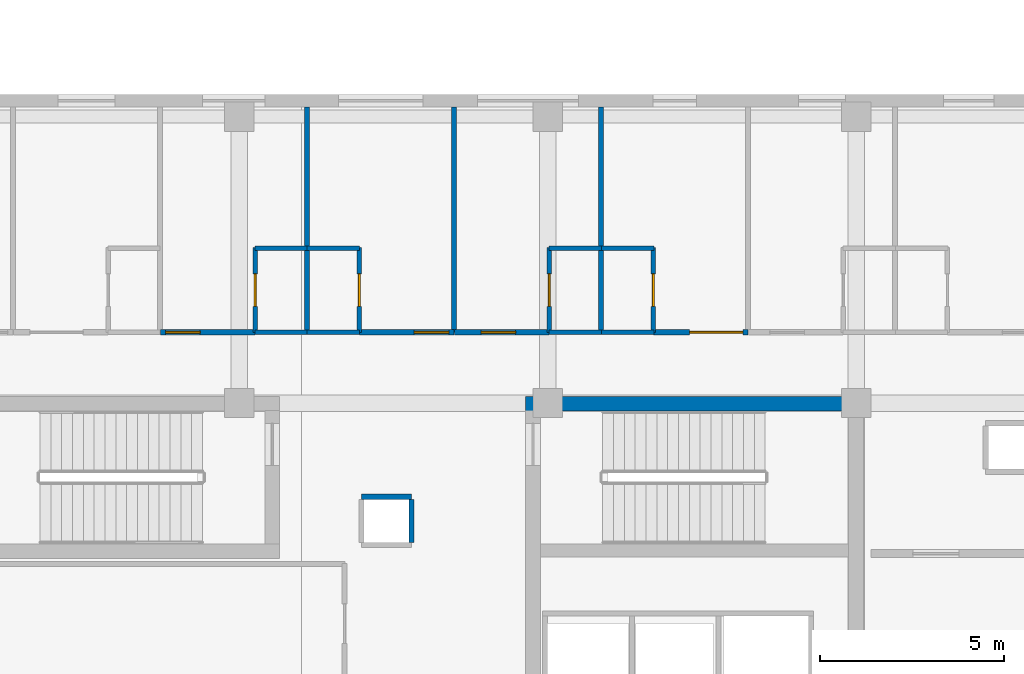
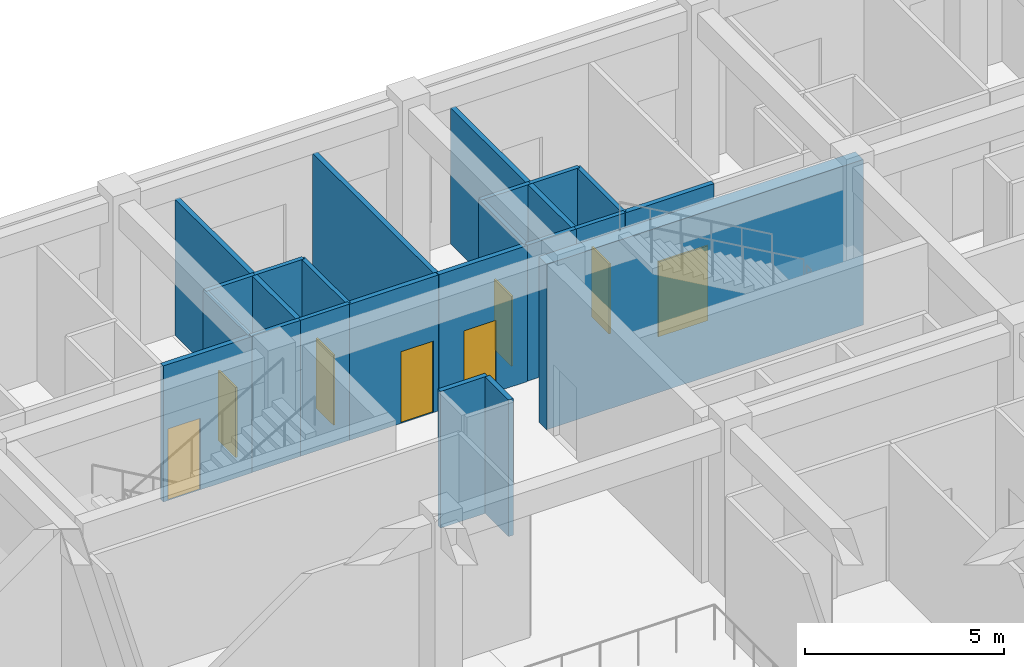
# One storey, part 106 of 139: 22 walls, 8 doors, 8 openings.
"""IFC4 building model written with IfcOpenShell, lengths in metres."""

from ifc_helpers import new_model, si_unit, direction, frame, frame_2d, origin, place, context, subcontext, project, spatial, rectangle, extrude, material, layer, layer_set, type_object, element, fill, save


model = new_model("IFC4")

# Units and contexts
model_context = context("Model", 3, precision=1e-05, world=origin(), true_north=direction((0.0, 1.0)))
body_context = subcontext(model_context, "Body", "Model", "MODEL_VIEW")
ifc_project = project(units=[si_unit("LENGTHUNIT", "METRE"), si_unit("AREAUNIT", "SQUARE_METRE"), si_unit("VOLUMEUNIT", "CUBIC_METRE"), si_unit("PLANEANGLEUNIT", "RADIAN"), si_unit("MASSUNIT", "GRAM", prefix="KILO")], contexts=[model_context])

# Site, building, storey
site_placement = place(None, origin())
site = spatial("IfcSite", under=ifc_project, at=site_placement, CompositionType="ELEMENT")
building_placement = place(site_placement, origin())
building = spatial("IfcBuilding", under=site, at=building_placement, Name="Zayran Congress Hotel", CompositionType="ELEMENT")
storey_placement = place(building_placement, frame((0.0, 0.0, 5.39990234375)))
storey = spatial("IfcBuildingStorey", under=building, at=storey_placement, Name="L01", CompositionType="ELEMENT", Elevation=5.39990234375)

# Wall
ifc_material_1 = material(Name="Concrete C40/50", Category="concrete")
ifc_layer_1 = layer(ifc_material_1, 0.39990234375)
ifc_layer_set_1 = layer_set([ifc_layer_1], Name="Concrete C40/50")
wall_type_1 = type_object("IfcWallType", Name="WL-SH-400", PredefinedType="SHEAR", material=ifc_layer_set_1)
wall_1_placement = place(storey_placement, frame((59.0, 25.5849609375, 0.0), z_axis=(0.0, 0.0, 1.0), x_axis=(-1.0, 0.0, 0.0)))
element("IfcWall", 1, at=wall_1_placement, inside=storey, type_object=wall_type_1, Name="CWALL-C-V5E-L01-N", PredefinedType="SHEAR", context=body_context, shape_type="SweptSolid", body=[
    extrude(rectangle(XDim=9.199951171875, YDim=0.39990234375, at=frame_2d((4.60009765625, 0.0))), origin(), (0.0, 0.0, 1.0), 5.080078125),
])

# Wall, opening, door
ifc_material_2 = material(Name="Hospitality guestroom acoustic partition", Category="gypsum")
ifc_layer_2 = layer(ifc_material_2, 0.139892578125)
ifc_layer_set_2 = layer_set([ifc_layer_2], Name="Hospitality guestroom acoustic partition")
wall_type_2 = type_object("IfcWallType", Name="WL-PT-140", PredefinedType="PARTITIONING", material=ifc_layer_set_2)
wall_2_placement = place(storey_placement, frame((39.85888671875, 27.530029296875, 0.0), z_axis=(0.0, 0.0, 1.0), x_axis=(1.0, 0.0, 0.0)))
wall_2 = element("IfcWall", 2, at=wall_2_placement, inside=storey, type_object=wall_type_2, Name="IW-L01-0473", PredefinedType="PARTITIONING", context=body_context, shape_type="SweptSolid", body=[
    extrude(rectangle(XDim=2.5751953125, YDim=0.139892578125, at=frame_2d((1.28759765625, 0.0))), origin(), (0.0, 0.0, 1.0), 4.18017578125),
])
opening_1_placement = place(wall_2_placement, frame((0.139892578125, 0.0, 0.0)))
opening_1 = element("IfcOpeningElement", 3, at=opening_1_placement, cuts=wall_2, Name="Opening DR-GR-01", PredefinedType="OPENING", context=body_context, shape_type="SweptSolid", body=[
    extrude(rectangle(XDim=0.93994140625, YDim=2.199951171875, at=frame_2d((0.469970703125, 1.10009765625))), frame((0.0, 0.079833984375, 0.0), z_axis=(0.0, -1.0, 0.0), x_axis=(1.0, 0.0, 0.0)), (0.0, 0.0, 1.0), 0.159912109375),
])
ifc_material_3 = material(Name="Acoustic walnut veneer fire-rated entry door", Category="wood")
door_type_1 = type_object("IfcDoorType", Name="TP-DR-GR-01", OperationType="NOTDEFINED", PredefinedType="DOOR", material=ifc_material_3)
door_1_placement = place(opening_1_placement, origin())
door_1 = element("IfcDoor", 4, at=door_1_placement, inside=storey, type_object=door_type_1, Name="Guest Room L01-24 Door", OperationType="SINGLE_SWING_LEFT", OverallHeight=2.199951171875, OverallWidth=0.93994140625, PredefinedType="DOOR", context=body_context, shape_type="SweptSolid", body=[
    extrude(rectangle(XDim=0.93994140625, YDim=2.199951171875, at=frame_2d((0.469970703125, 1.10009765625))), frame((0.0, 0.02490234375, 0.0), z_axis=(0.0, -1.0, 0.0), x_axis=(1.0, 0.0, 0.0)), (0.0, 0.0, 1.0), 0.050048828125),
])
fill(opening_1, door_1)

wall_3_placement = place(storey_placement, frame((45.27197265625, 27.530029296875, 0.0), z_axis=(0.0, 0.0, 1.0), x_axis=(1.0, 0.0, 0.0)))
wall_3 = element("IfcWall", 5, at=wall_3_placement, inside=storey, type_object=wall_type_2, Name="IW-L01-0474", PredefinedType="PARTITIONING", context=body_context, shape_type="SweptSolid", body=[
    extrude(rectangle(XDim=2.574951171875, YDim=0.139892578125, at=frame_2d((1.28759765625, 0.0))), origin(), (0.0, 0.0, 1.0), 4.18017578125),
])
opening_2_placement = place(wall_3_placement, frame((1.4951171875, 0.0, 0.0)))
opening_2 = element("IfcOpeningElement", 6, at=opening_2_placement, cuts=wall_3, Name="Opening DR-GR-01", PredefinedType="OPENING", context=body_context, shape_type="SweptSolid", body=[
    extrude(rectangle(XDim=0.93994140625, YDim=2.199951171875, at=frame_2d((0.469970703125, 1.10009765625))), frame((0.0, 0.079833984375, 0.0), z_axis=(0.0, -1.0, 0.0), x_axis=(1.0, 0.0, 0.0)), (0.0, 0.0, 1.0), 0.159912109375),
])
door_2_placement = place(opening_2_placement, origin())
door_2 = element("IfcDoor", 7, at=door_2_placement, inside=storey, type_object=door_type_1, Name="Guest Room L01-25 Door", OperationType="SINGLE_SWING_RIGHT", OverallHeight=2.199951171875, OverallWidth=0.93994140625, PredefinedType="DOOR", context=body_context, shape_type="SweptSolid", body=[
    extrude(rectangle(XDim=0.93994140625, YDim=2.199951171875, at=frame_2d((0.469970703125, 1.10009765625))), frame((0.0, 0.02490234375, 0.0), z_axis=(0.0, -1.0, 0.0), x_axis=(1.0, 0.0, 0.0)), (0.0, 0.0, 1.0), 0.050048828125),
])
fill(opening_2, door_2)

wall_4_placement = place(storey_placement, frame((47.866943359375, 27.530029296875, 0.0), z_axis=(0.0, 0.0, 1.0), x_axis=(1.0, 0.0, 0.0)))
wall_4 = element("IfcWall", 8, at=wall_4_placement, inside=storey, type_object=wall_type_2, Name="IW-L01-0475", PredefinedType="PARTITIONING", context=body_context, shape_type="SweptSolid", body=[
    extrude(rectangle(XDim=2.574951171875, YDim=0.139892578125, at=frame_2d((1.28759765625, 0.0))), origin(), (0.0, 0.0, 1.0), 4.18017578125),
])
opening_3_placement = place(wall_4_placement, frame((0.720947265625, 0.0, 0.0)))
opening_3 = element("IfcOpeningElement", 9, at=opening_3_placement, cuts=wall_4, Name="Opening DR-GR-01", PredefinedType="OPENING", context=body_context, shape_type="SweptSolid", body=[
    extrude(rectangle(XDim=0.93994140625, YDim=2.199951171875, at=frame_2d((0.469970703125, 1.10009765625))), frame((0.0, 0.079833984375, 0.0), z_axis=(0.0, -1.0, 0.0), x_axis=(1.0, 0.0, 0.0)), (0.0, 0.0, 1.0), 0.159912109375),
])
door_3_placement = place(opening_3_placement, origin())
door_3 = element("IfcDoor", 10, at=door_3_placement, inside=storey, type_object=door_type_1, Name="Guest Room L01-26 Door", OperationType="SINGLE_SWING_LEFT", OverallHeight=2.199951171875, OverallWidth=0.93994140625, PredefinedType="DOOR", context=body_context, shape_type="SweptSolid", body=[
    extrude(rectangle(XDim=0.93994140625, YDim=2.199951171875, at=frame_2d((0.469970703125, 1.10009765625))), frame((0.0, 0.02490234375, 0.0), z_axis=(0.0, -1.0, 0.0), x_axis=(1.0, 0.0, 0.0)), (0.0, 0.0, 1.0), 0.050048828125),
])
fill(opening_3, door_3)

wall_5_placement = place(storey_placement, frame((53.280029296875, 27.530029296875, 0.0), z_axis=(0.0, 0.0, 1.0), x_axis=(1.0, 0.0, 0.0)))
wall_5 = element("IfcWall", 11, at=wall_5_placement, inside=storey, type_object=wall_type_2, Name="IW-L01-0476", PredefinedType="PARTITIONING", context=body_context, shape_type="SweptSolid", body=[
    extrude(rectangle(XDim=2.574951171875, YDim=0.139892578125, at=frame_2d((1.28759765625, 0.0))), origin(), (0.0, 0.0, 1.0), 4.18017578125),
])
opening_4_placement = place(wall_5_placement, frame((0.985107421875, 0.0, 0.0)))
opening_4 = element("IfcOpeningElement", 12, at=opening_4_placement, cuts=wall_5, Name="Opening DR-ST-01", PredefinedType="OPENING", context=body_context, shape_type="SweptSolid", body=[
    extrude(rectangle(XDim=1.449951171875, YDim=2.300048828125, at=frame_2d((0.72509765625, 1.14990234375))), frame((0.0, 0.079833984375, 0.0), z_axis=(0.0, -1.0, 0.0), x_axis=(1.0, 0.0, 0.0)), (0.0, 0.0, 1.0), 0.159912109375),
])
ifc_material_4 = material(Name="Double walnut veneer suite entry door", Category="wood")
door_type_2 = type_object("IfcDoorType", Name="TP-DR-ST-01", OperationType="DOUBLE_DOOR_SINGLE_SWING", PredefinedType="DOOR", material=ifc_material_4)
door_4_placement = place(opening_4_placement, origin())
door_4 = element("IfcDoor", 13, at=door_4_placement, inside=storey, type_object=door_type_2, Name="Executive Suite L01-27 Door", OperationType="DOUBLE_DOOR_SINGLE_SWING", OverallHeight=2.300048828125, OverallWidth=1.449951171875, PredefinedType="DOOR", context=body_context, shape_type="SweptSolid", body=[
    extrude(rectangle(XDim=1.449951171875, YDim=2.300048828125, at=frame_2d((0.72509765625, 1.14990234375))), frame((0.0, 0.02490234375, 0.0), z_axis=(0.0, -1.0, 0.0), x_axis=(1.0, 0.0, 0.0)), (0.0, 0.0, 1.0), 0.050048828125),
])
fill(opening_4, door_4)

# Walls
for number, where, z_axis, x_axis, name in (
    (14, (43.843017578125, 27.52001953125, 0.0), (0.0, 0.0, 1.0), (0.0, 1.0, 0.0), "IW-L01-1766"),
    (15, (47.846923828125, 27.52001953125, 0.0), (0.0, 0.0, 1.0), (0.0, 1.0, 0.0), "IW-L01-1767"),
    (16, (51.85107421875, 27.52001953125, 0.0), (0.0, 0.0, 1.0), (0.0, 1.0, 0.0), "IW-L01-1768"),
):
    element("IfcWall", number, at=place(storey_placement, frame(where, z_axis=z_axis, x_axis=x_axis)), inside=storey, type_object=wall_type_2, Name=name, PredefinedType="PARTITIONING", context=body_context, shape_type="SweptSolid", body=[
        extrude(rectangle(XDim=6.139892578125, YDim=0.139892578125, at=frame_2d((3.06982421875, 0.0))), origin(), (0.0, 0.0, 1.0), 4.18017578125),
    ])
wall_6_placement = place(storey_placement, frame((46.68994140625, 23.050048828125, 0.0), z_axis=(0.0, 0.0, 1.0), x_axis=(-1.0, 0.0, 0.0)))
element("IfcWall", 17, at=wall_6_placement, inside=storey, type_object=wall_type_2, Name="RSWL-V5-L01-027-N", PredefinedType="PARTITIONING", context=body_context, shape_type="SweptSolid", body=[
    extrude(rectangle(XDim=1.35986328125, YDim=0.139892578125, at=frame_2d((0.679931640625, 0.0))), origin(), (0.0, 0.0, 1.0), 4.2001953125),
])
wall_7_placement = place(storey_placement, frame((46.68994140625, 21.800048828125, 0.0), z_axis=(0.0, 0.0, 1.0), x_axis=(0.0, 1.0, 0.0)))
element("IfcWall", 18, at=wall_7_placement, inside=storey, type_object=wall_type_2, Name="RSWL-V5-L01-027-E", PredefinedType="PARTITIONING", context=body_context, shape_type="SweptSolid", body=[
    extrude(rectangle(XDim=1.179931640625, YDim=0.139892578125, at=frame_2d((0.58984375, 0.0))), origin(), (0.0, 0.0, 1.0), 4.2001953125),
])

# Wall, opening, door
ifc_material_5 = material(Name="Moisture-resistant bathroom partition", Category="gypsum")
ifc_layer_3 = layer(ifc_material_5, 0.1201171875)
ifc_layer_set_3 = layer_set([ifc_layer_3], Name="Moisture-resistant bathroom partition")
wall_type_3 = type_object("IfcWallType", Name="WL-PT-120", PredefinedType="PARTITIONING", material=ifc_layer_set_3)
wall_8_placement = place(storey_placement, frame((42.43408203125, 27.52001953125, 0.0), z_axis=(0.0, 0.0, 1.0), x_axis=(0.0, 1.0, 0.0)))
wall_8 = element("IfcWall", 19, at=wall_8_placement, inside=storey, type_object=wall_type_3, Name="IW-L01-0040", PredefinedType="PARTITIONING", context=body_context, shape_type="SweptSolid", body=[
    extrude(rectangle(XDim=2.31005859375, YDim=0.1201171875, at=frame_2d((1.155029296875, 0.0))), origin(), (0.0, 0.0, 1.0), 4.18017578125),
])
opening_5_placement = place(wall_8_placement, frame((0.715087890625, 0.0, 0.0)))
opening_5 = element("IfcOpeningElement", 20, at=opening_5_placement, cuts=wall_8, Name="Opening DR-BT-01", PredefinedType="OPENING", context=body_context, shape_type="SweptSolid", body=[
    extrude(rectangle(XDim=0.8798828125, YDim=2.14990234375, at=frame_2d((0.43994140625, 1.074951171875))), frame((0.0, 0.070068359375, 0.0), z_axis=(0.0, -1.0, 0.0), x_axis=(1.0, 0.0, 0.0)), (0.0, 0.0, 1.0), 0.14013671875),
])
ifc_material_6 = material(Name="Moisture-resistant oak en-suite door", Category="wood")
door_type_3 = type_object("IfcDoorType", Name="TP-DR-BT-01", OperationType="NOTDEFINED", PredefinedType="DOOR", material=ifc_material_6)
door_5_placement = place(opening_5_placement, origin())
door_5 = element("IfcDoor", 21, at=door_5_placement, inside=storey, type_object=door_type_3, Name="En-Suite Bathroom L01-24 Door", OperationType="SINGLE_SWING_LEFT", OverallHeight=2.14990234375, OverallWidth=0.8798828125, PredefinedType="DOOR", context=body_context, shape_type="SweptSolid", body=[
    extrude(rectangle(XDim=0.8798828125, YDim=2.14990234375, at=frame_2d((0.43994140625, 1.074951171875))), frame((0.0, 0.02490234375, 0.0), z_axis=(0.0, -1.0, 0.0), x_axis=(1.0, 0.0, 0.0)), (0.0, 0.0, 1.0), 0.050048828125),
])
fill(opening_5, door_5)

wall_9_placement = place(storey_placement, frame((45.27197265625, 27.52001953125, 0.0), z_axis=(0.0, 0.0, 1.0), x_axis=(0.0, 1.0, 0.0)))
wall_9 = element("IfcWall", 22, at=wall_9_placement, inside=storey, type_object=wall_type_3, Name="IW-L01-0041", PredefinedType="PARTITIONING", context=body_context, shape_type="SweptSolid", body=[
    extrude(rectangle(XDim=2.31005859375, YDim=0.1201171875, at=frame_2d((1.155029296875, 0.0))), origin(), (0.0, 0.0, 1.0), 4.18017578125),
])
opening_6_placement = place(wall_9_placement, frame((0.715087890625, 0.0, 0.0)))
opening_6 = element("IfcOpeningElement", 23, at=opening_6_placement, cuts=wall_9, Name="Opening DR-BT-01", PredefinedType="OPENING", context=body_context, shape_type="SweptSolid", body=[
    extrude(rectangle(XDim=0.8798828125, YDim=2.14990234375, at=frame_2d((0.43994140625, 1.074951171875))), frame((0.0, 0.070068359375, 0.0), z_axis=(0.0, -1.0, 0.0), x_axis=(1.0, 0.0, 0.0)), (0.0, 0.0, 1.0), 0.14013671875),
])
door_6_placement = place(opening_6_placement, origin())
door_6 = element("IfcDoor", 24, at=door_6_placement, inside=storey, type_object=door_type_3, Name="En-Suite Bathroom L01-25 Door", OperationType="SINGLE_SWING_RIGHT", OverallHeight=2.14990234375, OverallWidth=0.8798828125, PredefinedType="DOOR", context=body_context, shape_type="SweptSolid", body=[
    extrude(rectangle(XDim=0.8798828125, YDim=2.14990234375, at=frame_2d((0.43994140625, 1.074951171875))), frame((0.0, 0.02490234375, 0.0), z_axis=(0.0, -1.0, 0.0), x_axis=(1.0, 0.0, 0.0)), (0.0, 0.0, 1.0), 0.050048828125),
])
fill(opening_6, door_6)

wall_10_placement = place(storey_placement, frame((50.44189453125, 27.52001953125, 0.0), z_axis=(0.0, 0.0, 1.0), x_axis=(0.0, 1.0, 0.0)))
wall_10 = element("IfcWall", 25, at=wall_10_placement, inside=storey, type_object=wall_type_3, Name="IW-L01-0042", PredefinedType="PARTITIONING", context=body_context, shape_type="SweptSolid", body=[
    extrude(rectangle(XDim=2.31005859375, YDim=0.1201171875, at=frame_2d((1.155029296875, 0.0))), origin(), (0.0, 0.0, 1.0), 4.18017578125),
])
opening_7_placement = place(wall_10_placement, frame((0.715087890625, 0.0, 0.0)))
opening_7 = element("IfcOpeningElement", 26, at=opening_7_placement, cuts=wall_10, Name="Opening DR-BT-01", PredefinedType="OPENING", context=body_context, shape_type="SweptSolid", body=[
    extrude(rectangle(XDim=0.8798828125, YDim=2.14990234375, at=frame_2d((0.43994140625, 1.074951171875))), frame((0.0, 0.070068359375, 0.0), z_axis=(0.0, -1.0, 0.0), x_axis=(1.0, 0.0, 0.0)), (0.0, 0.0, 1.0), 0.14013671875),
])
door_7_placement = place(opening_7_placement, origin())
door_7 = element("IfcDoor", 27, at=door_7_placement, inside=storey, type_object=door_type_3, Name="En-Suite Bathroom L01-26 Door", OperationType="SINGLE_SWING_LEFT", OverallHeight=2.14990234375, OverallWidth=0.8798828125, PredefinedType="DOOR", context=body_context, shape_type="SweptSolid", body=[
    extrude(rectangle(XDim=0.8798828125, YDim=2.14990234375, at=frame_2d((0.43994140625, 1.074951171875))), frame((0.0, 0.02490234375, 0.0), z_axis=(0.0, -1.0, 0.0), x_axis=(1.0, 0.0, 0.0)), (0.0, 0.0, 1.0), 0.050048828125),
])
fill(opening_7, door_7)

wall_11_placement = place(storey_placement, frame((53.280029296875, 27.52001953125, 0.0), z_axis=(0.0, 0.0, 1.0), x_axis=(0.0, 1.0, 0.0)))
wall_11 = element("IfcWall", 28, at=wall_11_placement, inside=storey, type_object=wall_type_3, Name="IW-L01-0043", PredefinedType="PARTITIONING", context=body_context, shape_type="SweptSolid", body=[
    extrude(rectangle(XDim=2.31005859375, YDim=0.1201171875, at=frame_2d((1.155029296875, 0.0))), origin(), (0.0, 0.0, 1.0), 4.18017578125),
])
opening_8_placement = place(wall_11_placement, frame((0.715087890625, 0.0, 0.0)))
opening_8 = element("IfcOpeningElement", 29, at=opening_8_placement, cuts=wall_11, Name="Opening DR-BT-01", PredefinedType="OPENING", context=body_context, shape_type="SweptSolid", body=[
    extrude(rectangle(XDim=0.8798828125, YDim=2.14990234375, at=frame_2d((0.43994140625, 1.074951171875))), frame((0.0, 0.070068359375, 0.0), z_axis=(0.0, -1.0, 0.0), x_axis=(1.0, 0.0, 0.0)), (0.0, 0.0, 1.0), 0.14013671875),
])
door_8_placement = place(opening_8_placement, origin())
door_8 = element("IfcDoor", 30, at=door_8_placement, inside=storey, type_object=door_type_3, Name="En-Suite Bathroom L01-27 Door", OperationType="SINGLE_SWING_RIGHT", OverallHeight=2.14990234375, OverallWidth=0.8798828125, PredefinedType="DOOR", context=body_context, shape_type="SweptSolid", body=[
    extrude(rectangle(XDim=0.8798828125, YDim=2.14990234375, at=frame_2d((0.43994140625, 1.074951171875))), frame((0.0, 0.02490234375, 0.0), z_axis=(0.0, -1.0, 0.0), x_axis=(1.0, 0.0, 0.0)), (0.0, 0.0, 1.0), 0.050048828125),
])
fill(opening_8, door_8)

# Walls
for number, where, z_axis, x_axis, name in (
    (31, (42.424072265625, 27.530029296875, 0.0), (0.0, 0.0, 1.0), (1.0, 0.0, 0.0), "IW-L01-0947"),
    (32, (42.424072265625, 29.820068359375, 0.0), (0.0, 0.0, 1.0), (1.0, 0.0, 0.0), "IW-L01-0948"),
    (33, (43.85302734375, 27.530029296875, 0.0), (0.0, 0.0, 1.0), (1.0, 0.0, 0.0), "IW-L01-0949"),
    (34, (43.85302734375, 29.820068359375, 0.0), (0.0, 0.0, 1.0), (1.0, 0.0, 0.0), "IW-L01-0950"),
):
    element("IfcWall", number, at=place(storey_placement, frame(where, z_axis=z_axis, x_axis=x_axis)), inside=storey, type_object=wall_type_3, Name=name, PredefinedType="PARTITIONING", context=body_context, shape_type="SweptSolid", body=[
        extrude(rectangle(XDim=1.428955078125, YDim=0.1201171875, at=frame_2d((0.71435546875, 0.0))), origin(), (0.0, 0.0, 1.0), 4.18017578125),
    ])
for number, where, z_axis, x_axis, name in (
    (35, (50.431884765625, 27.530029296875, 0.0), (0.0, 0.0, 1.0), (1.0, 0.0, 0.0), "IW-L01-0951"),
    (36, (50.431884765625, 29.820068359375, 0.0), (0.0, 0.0, 1.0), (1.0, 0.0, 0.0), "IW-L01-0952"),
):
    element("IfcWall", number, at=place(storey_placement, frame(where, z_axis=z_axis, x_axis=x_axis)), inside=storey, type_object=wall_type_3, Name=name, PredefinedType="PARTITIONING", context=body_context, shape_type="SweptSolid", body=[
        extrude(rectangle(XDim=1.42919921875, YDim=0.1201171875, at=frame_2d((0.714599609375, 0.0))), origin(), (0.0, 0.0, 1.0), 4.18017578125),
    ])
for number, where, z_axis, x_axis, name in (
    (37, (51.861083984375, 27.530029296875, 0.0), (0.0, 0.0, 1.0), (1.0, 0.0, 0.0), "IW-L01-0953"),
    (38, (51.861083984375, 29.820068359375, 0.0), (0.0, 0.0, 1.0), (1.0, 0.0, 0.0), "IW-L01-0954"),
):
    element("IfcWall", number, at=place(storey_placement, frame(where, z_axis=z_axis, x_axis=x_axis)), inside=storey, type_object=wall_type_3, Name=name, PredefinedType="PARTITIONING", context=body_context, shape_type="SweptSolid", body=[
        extrude(rectangle(XDim=1.428955078125, YDim=0.1201171875, at=frame_2d((0.71435546875, 0.0))), origin(), (0.0, 0.0, 1.0), 4.18017578125),
    ])

save(model, "model.ifc")
